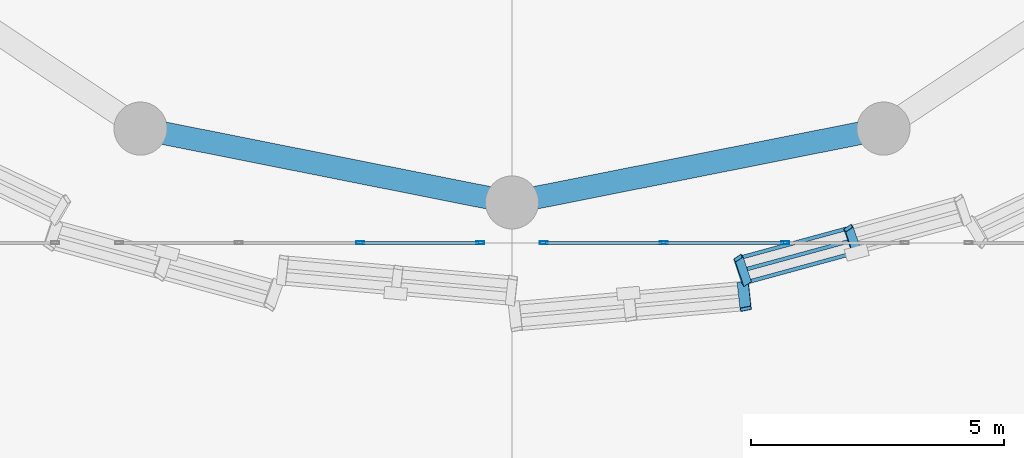
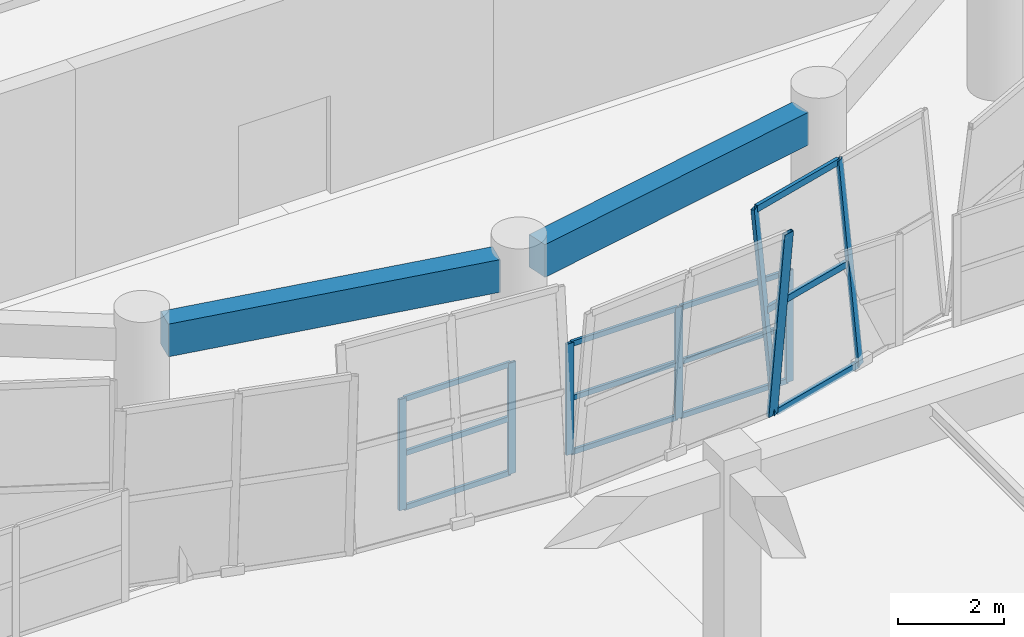
# One storey, part 22 of 72: 20 members, 2 beams, 4 elements without a shape of their own.
"""IFC4 building model written with IfcOpenShell, lengths in metres."""

from ifc_helpers import new_model, si_unit, direction, frame, origin, origin_2d, place, context, subcontext, project, spatial, rectangle, hollow_rectangle, extrude, material, material_profile, profile_set, type_object, element, aggregate, save


model = new_model("IFC4")

# Units and contexts
model_context = context("Model", 3, precision=1e-05, world=origin(), true_north=direction((0.0, 1.0)))
body_context = subcontext(model_context, "Body", "Model", "MODEL_VIEW")
ifc_project = project(units=[si_unit("LENGTHUNIT", "METRE"), si_unit("AREAUNIT", "SQUARE_METRE"), si_unit("VOLUMEUNIT", "CUBIC_METRE"), si_unit("PLANEANGLEUNIT", "RADIAN"), si_unit("MASSUNIT", "GRAM", prefix="KILO")], contexts=[model_context])

# Site, building, storey
site_placement = place(None, origin())
site = spatial("IfcSite", under=ifc_project, at=site_placement, CompositionType="ELEMENT")
building_placement = place(site_placement, origin())
building = spatial("IfcBuilding", under=site, at=building_placement, Name="Korsvaeld Concert Hall", CompositionType="ELEMENT")
storey_placement = place(building_placement, origin())
storey = spatial("IfcBuildingStorey", under=building, at=storey_placement, Name="L00", CompositionType="ELEMENT", Elevation=0.0)

# Beams
ifc_material_1 = material(Name="Concrete C35/45", Category="concrete")
ifc_material_profile_1 = material_profile(ifc_material_1, rectangle(XDim=0.449951171875, YDim=0.75, at=origin_2d()), Name="RC 450x750")
ifc_profile_set_1 = profile_set([ifc_material_profile_1], Name="Concrete C35/45")
beam_type = type_object("IfcBeamType", Name="BM-RC-450x750", PredefinedType="T_BEAM", material=ifc_profile_set_1)
for number, where, z_axis, x_axis, name in (
    (1, (77.093994140625, 45.373779296875, 4.06494140625), (0.980785284484, -0.195090301499, 0.0), (0.195090301499, 0.980785284484, 0.0), "Drum ring floor girder L00 12"),
    (2, (84.44140625, 44.087890625, 4.06494140625), (0.980785284484, 0.195090301499, 0.0), (-0.195090301499, 0.980785284484, 0.0), "Drum ring floor girder L00 13"),
):
    element("IfcBeam", number, at=place(storey_placement, frame(where, z_axis=z_axis, x_axis=x_axis)), inside=storey, type_object=beam_type, Name=name, PredefinedType="T_BEAM", context=body_context, shape_type="SweptSolid", body=[
        extrude(rectangle(XDim=0.449951171875, YDim=0.75, at=origin_2d()), origin(), (0.0, 0.0, 1.0), 6.59130859375),
    ])

# Curtain wall, members
ifc_material_2 = material(Name="Anodised bronze and ceramic-fritted safety glass", Category="glass")
curtain_wall_type_1 = type_object("IfcCurtainWallType", Name="CW-TYPE-13", PredefinedType="USERDEFINED", material=ifc_material_2)
curtain_wall_1_placement = place(storey_placement, origin())
curtain_wall_1 = element("IfcCurtainWall", 3, at=curtain_wall_1_placement, inside=storey, type_object=curtain_wall_type_1, Name="Glazed foyer acoustic screen L00-21", ObjectType="CURTAIN WALL", PredefinedType="USERDEFINED")
ifc_material_3 = material(Name="Anodised architectural bronze aluminium", Category="aluminium")
ifc_material_profile_2 = material_profile(ifc_material_3, hollow_rectangle(XDim=0.06005859375, YDim=0.159912109375, WallThickness=0.00390625, at=origin_2d()), Name="CWM 160x60x4")
ifc_profile_set_2 = profile_set([ifc_material_profile_2], Name="Anodised architectural bronze aluminium")
member_type_1 = type_object("IfcMemberType", Name="CWM-ALUM-160x60", PredefinedType="MULLION", material=ifc_profile_set_2)
member_1_placement = place(storey_placement, frame((81.0, 43.199951171875, 0.0), z_axis=(0.0, 0.0, 1.0), x_axis=(0.0, 1.0, 0.0)))
member_1 = element("IfcMember", 4, at=member_1_placement, type_object=member_type_1, Name="CW-13 mullion 3", PredefinedType="MULLION", context=body_context, shape_type="SweptSolid", body=[
    extrude(hollow_rectangle(XDim=0.06005859375, YDim=0.159912109375, WallThickness=0.00390625, at=origin_2d()), origin(), (0.0, 0.0, 1.0), 2.550048828125),
])
member_2_placement = place(storey_placement, frame((83.3701171875, 43.199951171875, 0.0), z_axis=(0.0, 0.0, 1.0), x_axis=(0.0, 1.0, 0.0)))
member_2 = element("IfcMember", 5, at=member_2_placement, type_object=member_type_1, Name="CW-13 mullion 4", PredefinedType="MULLION", context=body_context, shape_type="SweptSolid", body=[
    extrude(hollow_rectangle(XDim=0.06005859375, YDim=0.159912109375, WallThickness=0.00390625, at=origin_2d()), origin(), (0.0, 0.0, 1.0), 2.550048828125),
])

curtain_wall_type_2 = type_object("IfcCurtainWallType", Name="CW-TYPE-14", PredefinedType="USERDEFINED", material=ifc_material_2)
curtain_wall_2_placement = place(storey_placement, origin())
curtain_wall_2 = element("IfcCurtainWall", 6, at=curtain_wall_2_placement, inside=storey, type_object=curtain_wall_type_2, Name="Glazed foyer acoustic screen L00-22", ObjectType="CURTAIN WALL", PredefinedType="USERDEFINED")
member_3_placement = place(storey_placement, frame((84.6298828125, 43.199951171875, 0.0), z_axis=(0.0, 0.0, 1.0), x_axis=(0.0, 1.0, 0.0)))
member_3 = element("IfcMember", 7, at=member_3_placement, type_object=member_type_1, Name="CW-14 mullion 1", PredefinedType="MULLION", context=body_context, shape_type="SweptSolid", body=[
    extrude(hollow_rectangle(XDim=0.06005859375, YDim=0.159912109375, WallThickness=0.00390625, at=origin_2d()), origin(), (0.0, 0.0, 1.0), 2.550048828125),
])
member_4_placement = place(storey_placement, frame((87.0, 43.199951171875, 0.0), z_axis=(0.0, 0.0, 1.0), x_axis=(0.0, 1.0, 0.0)))
member_4 = element("IfcMember", 8, at=member_4_placement, type_object=member_type_1, Name="CW-14 mullion 2", PredefinedType="MULLION", context=body_context, shape_type="SweptSolid", body=[
    extrude(hollow_rectangle(XDim=0.06005859375, YDim=0.159912109375, WallThickness=0.00390625, at=origin_2d()), origin(), (0.0, 0.0, 1.0), 2.550048828125),
])
member_5_placement = place(storey_placement, frame((89.39990234375, 43.199951171875, 0.0), z_axis=(0.0, 0.0, 1.0), x_axis=(0.0, 1.0, 0.0)))
member_5 = element("IfcMember", 9, at=member_5_placement, type_object=member_type_1, Name="CW-14 mullion 3", PredefinedType="MULLION", context=body_context, shape_type="SweptSolid", body=[
    extrude(hollow_rectangle(XDim=0.06005859375, YDim=0.159912109375, WallThickness=0.00390625, at=origin_2d()), origin(), (0.0, 0.0, 1.0), 2.550048828125),
])

curtain_wall_type_3 = type_object("IfcCurtainWallType", Name="CW-TYPE-02", PredefinedType="USERDEFINED", material=ifc_material_2)
curtain_wall_3_placement = place(storey_placement, origin())
curtain_wall_3 = element("IfcCurtainWall", 10, at=curtain_wall_3_placement, inside=storey, type_object=curtain_wall_type_3, Name="Crystal curtain-wall facet L00 F26", ObjectType="CURTAIN WALL", PredefinedType="USERDEFINED")
ifc_material_profile_3 = material_profile(ifc_material_3, hollow_rectangle(XDim=0.074951171875, YDim=0.179931640625, WallThickness=0.0048828125, at=origin_2d()), Name="CWM 180x75x5")
ifc_profile_set_3 = profile_set([ifc_material_profile_3], Name="Anodised architectural bronze aluminium")
member_type_2 = type_object("IfcMemberType", Name="CWM-BRONZE-180x75", PredefinedType="MULLION", material=ifc_profile_set_3)
member_6_placement = place(storey_placement, frame((88.640380859375, 42.417236328125, 0.0), z_axis=(-0.036223366426, 0.107262315231, 0.993570663544), x_axis=(0.555805308388, -0.824105020106, 0.109230833577)))
member_6 = element("IfcMember", 11, at=member_6_placement, type_object=member_type_2, Name="CW-CRYS-L00-F26 crystal mullion 1", PredefinedType="MULLION", context=body_context, shape_type="SweptSolid", body=[
    extrude(hollow_rectangle(XDim=0.074951171875, YDim=0.179931640625, WallThickness=0.0048828125, at=origin_2d()), origin(), (0.0, 0.0, 1.0), 4.509033203125),
])
member_7_placement = place(storey_placement, frame((90.817626953125, 43.010498046875, 0.0), z_axis=(-0.036223366426, 0.107262315231, 0.993570663544), x_axis=(0.555805308388, -0.824105020106, 0.109230833577)))
member_7 = element("IfcMember", 12, at=member_7_placement, type_object=member_type_2, Name="CW-CRYS-L00-F26 crystal mullion 2", PredefinedType="MULLION", context=body_context, shape_type="SweptSolid", body=[
    extrude(hollow_rectangle(XDim=0.074951171875, YDim=0.179931640625, WallThickness=0.0048828125, at=origin_2d()), origin(), (0.0, 0.0, 1.0), 4.509033203125),
])

# Curtain wall, member
curtain_wall_type_4 = type_object("IfcCurtainWallType", Name="CW-TYPE-01", PredefinedType="USERDEFINED", material=ifc_material_2)
curtain_wall_4_placement = place(storey_placement, origin())
curtain_wall_4 = element("IfcCurtainWall", 13, at=curtain_wall_4_placement, inside=storey, type_object=curtain_wall_type_4, Name="Crystal curtain-wall facet L00 F25", ObjectType="CURTAIN WALL", PredefinedType="USERDEFINED")
ifc_material_profile_4 = material_profile(ifc_material_3, hollow_rectangle(XDim=0.074951171875, YDim=0.219970703125, WallThickness=0.006103515625, at=origin_2d()), Name="CWM 220x75x6")
ifc_profile_set_4 = profile_set([ifc_material_profile_4], Name="Anodised architectural bronze aluminium")
member_type_3 = type_object("IfcMemberType", Name="CWM-BRONZE-220x75", PredefinedType="MULLION", material=ifc_profile_set_4)
member_8_placement = place(storey_placement, frame((88.566650390625, 42.404052734375, 0.0), z_axis=(0.012345216727, -0.112514738419, 0.993573363805), x_axis=(-0.195559786673, 0.974188860207, 0.112749432309)))
member_8 = element("IfcMember", 14, at=member_8_placement, type_object=member_type_3, Name="CW-CRYS-L00-F25 crystal mullion 3", PredefinedType="MULLION", context=body_context, shape_type="SweptSolid", body=[
    extrude(hollow_rectangle(XDim=0.074951171875, YDim=0.219970703125, WallThickness=0.006103515625, at=origin_2d()), origin(), (0.0, 0.0, 1.0), 4.509033203125),
])
aggregate(curtain_wall_4, [member_8])

# Member
ifc_material_profile_5 = material_profile(ifc_material_3, hollow_rectangle(XDim=0.06005859375, YDim=0.1201171875, WallThickness=0.00390625, at=origin_2d()), Name="CWT 120x60x4")
ifc_profile_set_5 = profile_set([ifc_material_profile_5], Name="Anodised architectural bronze aluminium")
member_type_4 = type_object("IfcMemberType", Name="CWT-ALUM-120x60", PredefinedType="USERDEFINED", material=ifc_profile_set_5)
member_9_placement = place(storey_placement, frame((81.030029296875, 43.199951171875, 0.030029296875), z_axis=(1.0, 0.0, 0.0), x_axis=(0.0, 1.0, 0.0)))
member_9 = element("IfcMember", 15, at=member_9_placement, type_object=member_type_4, Name="CW-13 transom 3.1", ObjectType="TRANSOM", PredefinedType="USERDEFINED", context=body_context, shape_type="SweptSolid", body=[
    extrude(hollow_rectangle(XDim=0.06005859375, YDim=0.1201171875, WallThickness=0.00390625, at=origin_2d()), origin(), (0.0, 0.0, 1.0), 2.31005859375),
])

member_10_placement = place(storey_placement, frame((81.030029296875, 43.199951171875, 1.27490234375), z_axis=(1.0, 0.0, 0.0), x_axis=(0.0, 1.0, 0.0)))
member_10 = element("IfcMember", 16, at=member_10_placement, type_object=member_type_4, Name="CW-13 transom 3.2", ObjectType="TRANSOM", PredefinedType="USERDEFINED", context=body_context, shape_type="SweptSolid", body=[
    extrude(hollow_rectangle(XDim=0.06005859375, YDim=0.1201171875, WallThickness=0.00390625, at=origin_2d()), origin(), (0.0, 0.0, 1.0), 2.31005859375),
])

member_11_placement = place(storey_placement, frame((81.030029296875, 43.199951171875, 2.52001953125), z_axis=(1.0, 0.0, 0.0), x_axis=(0.0, 1.0, 0.0)))
member_11 = element("IfcMember", 17, at=member_11_placement, type_object=member_type_4, Name="CW-13 transom 3.3", ObjectType="TRANSOM", PredefinedType="USERDEFINED", context=body_context, shape_type="SweptSolid", body=[
    extrude(hollow_rectangle(XDim=0.06005859375, YDim=0.1201171875, WallThickness=0.00390625, at=origin_2d()), origin(), (0.0, 0.0, 1.0), 2.31005859375),
])

aggregate(curtain_wall_1, [member_1, member_2, member_9, member_10, member_11])

member_12_placement = place(storey_placement, frame((84.659912109375, 43.199951171875, 0.030029296875), z_axis=(1.0, 0.0, 0.0), x_axis=(0.0, 1.0, 0.0)))
member_12 = element("IfcMember", 18, at=member_12_placement, type_object=member_type_4, Name="CW-14 transom 1.1", ObjectType="TRANSOM", PredefinedType="USERDEFINED", context=body_context, shape_type="SweptSolid", body=[
    extrude(hollow_rectangle(XDim=0.06005859375, YDim=0.1201171875, WallThickness=0.00390625, at=origin_2d()), origin(), (0.0, 0.0, 1.0), 2.31005859375),
])

member_13_placement = place(storey_placement, frame((84.659912109375, 43.199951171875, 1.27490234375), z_axis=(1.0, 0.0, 0.0), x_axis=(0.0, 1.0, 0.0)))
member_13 = element("IfcMember", 19, at=member_13_placement, type_object=member_type_4, Name="CW-14 transom 1.2", ObjectType="TRANSOM", PredefinedType="USERDEFINED", context=body_context, shape_type="SweptSolid", body=[
    extrude(hollow_rectangle(XDim=0.06005859375, YDim=0.1201171875, WallThickness=0.00390625, at=origin_2d()), origin(), (0.0, 0.0, 1.0), 2.31005859375),
])

member_14_placement = place(storey_placement, frame((84.659912109375, 43.199951171875, 2.52001953125), z_axis=(1.0, 0.0, 0.0), x_axis=(0.0, 1.0, 0.0)))
member_14 = element("IfcMember", 20, at=member_14_placement, type_object=member_type_4, Name="CW-14 transom 1.3", ObjectType="TRANSOM", PredefinedType="USERDEFINED", context=body_context, shape_type="SweptSolid", body=[
    extrude(hollow_rectangle(XDim=0.06005859375, YDim=0.1201171875, WallThickness=0.00390625, at=origin_2d()), origin(), (0.0, 0.0, 1.0), 2.31005859375),
])

member_15_placement = place(storey_placement, frame((87.030029296875, 43.199951171875, 0.030029296875), z_axis=(1.0, 0.0, 0.0), x_axis=(0.0, 1.0, 0.0)))
member_15 = element("IfcMember", 21, at=member_15_placement, type_object=member_type_4, Name="CW-14 transom 2.1", ObjectType="TRANSOM", PredefinedType="USERDEFINED", context=body_context, shape_type="SweptSolid", body=[
    extrude(hollow_rectangle(XDim=0.06005859375, YDim=0.1201171875, WallThickness=0.00390625, at=origin_2d()), origin(), (0.0, 0.0, 1.0), 2.340087890625),
])

member_16_placement = place(storey_placement, frame((87.030029296875, 43.199951171875, 1.27490234375), z_axis=(1.0, 0.0, 0.0), x_axis=(0.0, 1.0, 0.0)))
member_16 = element("IfcMember", 22, at=member_16_placement, type_object=member_type_4, Name="CW-14 transom 2.2", ObjectType="TRANSOM", PredefinedType="USERDEFINED", context=body_context, shape_type="SweptSolid", body=[
    extrude(hollow_rectangle(XDim=0.06005859375, YDim=0.1201171875, WallThickness=0.00390625, at=origin_2d()), origin(), (0.0, 0.0, 1.0), 2.340087890625),
])

member_17_placement = place(storey_placement, frame((87.030029296875, 43.199951171875, 2.52001953125), z_axis=(1.0, 0.0, 0.0), x_axis=(0.0, 1.0, 0.0)))
member_17 = element("IfcMember", 23, at=member_17_placement, type_object=member_type_4, Name="CW-14 transom 2.3", ObjectType="TRANSOM", PredefinedType="USERDEFINED", context=body_context, shape_type="SweptSolid", body=[
    extrude(hollow_rectangle(XDim=0.06005859375, YDim=0.1201171875, WallThickness=0.00390625, at=origin_2d()), origin(), (0.0, 0.0, 1.0), 2.340087890625),
])

aggregate(curtain_wall_2, [member_3, member_4, member_5, member_12, member_13, member_14, member_15, member_16, member_17])

ifc_material_profile_6 = material_profile(ifc_material_3, hollow_rectangle(XDim=0.074951171875, YDim=0.14990234375, WallThickness=0.0048828125, at=origin_2d()), Name="CWT 150x75x5")
ifc_profile_set_6 = profile_set([ifc_material_profile_6], Name="Anodised architectural bronze aluminium")
member_type_5 = type_object("IfcMemberType", Name="CWT-BRONZE-150x75", PredefinedType="USERDEFINED", material=ifc_profile_set_6)
member_18_placement = place(storey_placement, frame((88.67529296875, 42.430419921875, 0.030029296875), z_axis=(0.964841242841, 0.262833361873, 0.0), x_axis=(-0.262833361873, 0.964841242841, 0.0)))
member_18 = element("IfcMember", 24, at=member_18_placement, type_object=member_type_5, Name="CW-CRYS-L00-F26 crystal transom 1.1", ObjectType="TRANSOM", PredefinedType="USERDEFINED", context=body_context, shape_type="SweptSolid", body=[
    extrude(hollow_rectangle(XDim=0.074951171875, YDim=0.14990234375, WallThickness=0.0048828125, at=origin_2d()), origin(), (0.0, 0.0, 1.0), 2.181884765625),
])

member_19_placement = place(storey_placement, frame((88.5947265625, 42.6689453125, 2.239990234375), z_axis=(0.964841242841, 0.262833361873, 0.0), x_axis=(-0.262833361873, 0.964841242841, 0.0)))
member_19 = element("IfcMember", 25, at=member_19_placement, type_object=member_type_5, Name="CW-CRYS-L00-F26 crystal transom 1.2", ObjectType="TRANSOM", PredefinedType="USERDEFINED", context=body_context, shape_type="SweptSolid", body=[
    extrude(hollow_rectangle(XDim=0.074951171875, YDim=0.14990234375, WallThickness=0.0048828125, at=origin_2d()), origin(), (0.0, 0.0, 1.0), 2.181884765625),
])

member_20_placement = place(storey_placement, frame((88.51416015625, 42.907470703125, 4.449951171875), z_axis=(0.964812863187, 0.26293751925, 0.0), x_axis=(-0.26293751925, 0.964812863187, 0.0)))
member_20 = element("IfcMember", 26, at=member_20_placement, type_object=member_type_5, Name="CW-CRYS-L00-F26 crystal transom 1.3", ObjectType="TRANSOM", PredefinedType="USERDEFINED", context=body_context, shape_type="SweptSolid", body=[
    extrude(hollow_rectangle(XDim=0.074951171875, YDim=0.14990234375, WallThickness=0.0048828125, at=origin_2d()), origin(), (0.0, 0.0, 1.0), 2.181884765625),
])

aggregate(curtain_wall_3, [member_6, member_7, member_18, member_19, member_20])

save(model, "model.ifc")
